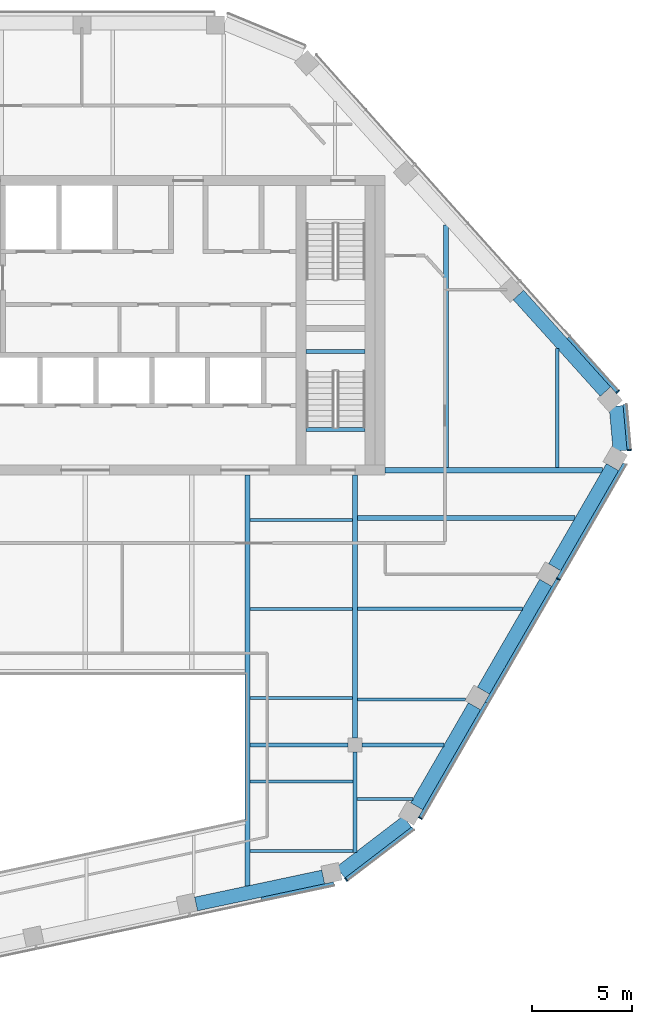
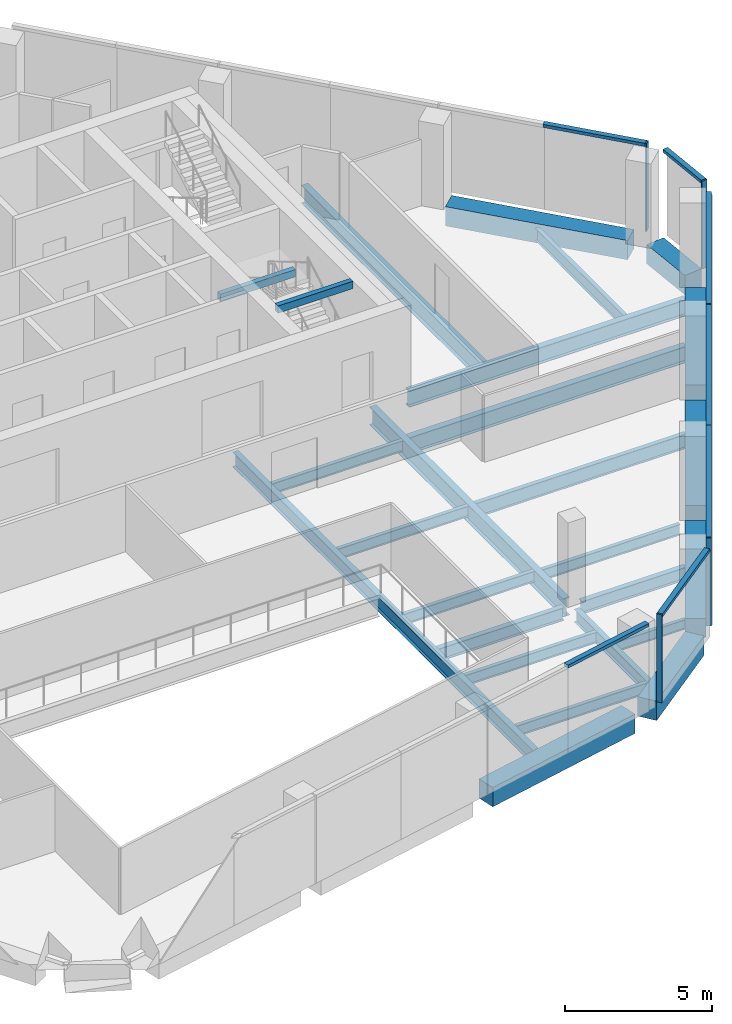
# One storey, part 4 of 15: 26 beams, 12 members, 5 elements without a shape of their own.
"""IFC4 building model written with IfcOpenShell, lengths in metres."""

from ifc_helpers import new_model, si_unit, direction, frame, origin, origin_2d, place, context, subcontext, project, spatial, rectangle, i_section, extrude, material, layer, layer_set, material_profile, profile_set, type_object, element, aggregate, save


model = new_model("IFC4")

# Units and contexts
model_context = context("Model", 3, precision=1e-05, world=origin(), true_north=direction((0.0, 1.0)))
body_context = subcontext(model_context, "Body", "Model", "MODEL_VIEW")
ifc_project = project(units=[si_unit("LENGTHUNIT", "METRE"), si_unit("AREAUNIT", "SQUARE_METRE"), si_unit("VOLUMEUNIT", "CUBIC_METRE"), si_unit("PLANEANGLEUNIT", "RADIAN"), si_unit("MASSUNIT", "GRAM", prefix="KILO")], contexts=[model_context])

# Site, building, storey
site_placement = place(None, origin())
site = spatial("IfcSite", under=ifc_project, at=site_placement, CompositionType="ELEMENT")
building_placement = place(site_placement, origin())
building = spatial("IfcBuilding", under=site, at=building_placement, Name="Isthmus Gate Tower", CompositionType="ELEMENT")
storey_placement = place(building_placement, frame((0.0, 0.0, 286.5)))
storey = spatial("IfcBuildingStorey", under=building, at=storey_placement, Name="L73", CompositionType="ELEMENT", Elevation=286.5)

# Curtain wall, member
ifc_material_1 = material(Name="Aluminium, pale champagne anodised", Category="aluminium")
ifc_layer = layer(ifc_material_1, 0.199951171875)
ifc_layer_set = layer_set([ifc_layer], Name="CW-1 UNITISED CURTAIN WALL 200 DEEP")
curtain_wall_type = type_object("IfcCurtainWallType", Name="CW-1 UNITISED CURTAIN WALL 200 DEEP", PredefinedType="NOTDEFINED", material=ifc_layer_set)
curtain_wall_1_placement = place(storey_placement, origin())
curtain_wall_1 = element("IfcCurtainWall", 1, at=curtain_wall_1_placement, inside=storey, type_object=curtain_wall_type, Name="CW-1 S-SE L73", PredefinedType="NOTDEFINED")
ifc_material_2 = material(Name="Aluminium, pale champagne anodised", Category="aluminium")
ifc_material_profile_1 = material_profile(ifc_material_2, rectangle(XDim=0.06005859375, YDim=0.199951171875, at=origin_2d()), Name="60x200")
ifc_profile_set_1 = profile_set([ifc_material_profile_1], Name="Aluminium, pale champagne anodised")
member_type_1 = type_object("IfcMemberType", Name="CW-1 MULLION 60 X 200", PredefinedType="MULLION", material=ifc_profile_set_1)
member_1_placement = place(storey_placement, frame((13.055908203125, -20.241455078125, 0.0), z_axis=(0.0, 0.0, 1.0), x_axis=(0.794188594387, 0.607671355706, 0.0)))
member_1 = element("IfcMember", 2, at=member_1_placement, type_object=member_type_1, Name="CW-1 mullion", PredefinedType="MULLION", context=body_context, shape_type="SweptSolid", body=[
    extrude(rectangle(XDim=0.06005859375, YDim=0.199951171875, at=origin_2d()), origin(), (0.0, 0.0, 1.0), 3.64990234375),
])

# Curtain wall, members
curtain_wall_2_placement = place(storey_placement, origin())
curtain_wall_2 = element("IfcCurtainWall", 3, at=curtain_wall_2_placement, inside=storey, type_object=curtain_wall_type, Name="CW-1 SE L73", PredefinedType="NOTDEFINED")
member_2_placement = place(storey_placement, frame((16.765380859375, -17.161376953125, 0.0), z_axis=(0.0, 0.0, 1.0), x_axis=(0.5, 0.866025403784, 0.0)))
member_2 = element("IfcMember", 4, at=member_2_placement, type_object=member_type_1, Name="CW-1 mullion", PredefinedType="MULLION", context=body_context, shape_type="SweptSolid", body=[
    extrude(rectangle(XDim=0.06005859375, YDim=0.199951171875, at=origin_2d()), origin(), (0.0, 0.0, 1.0), 3.64990234375),
])
member_3_placement = place(storey_placement, frame((23.675048828125, -5.193603515625, 0.0), z_axis=(0.0, 0.0, 1.0), x_axis=(0.5, 0.866025403784, 0.0)))
member_3 = element("IfcMember", 5, at=member_3_placement, type_object=member_type_1, Name="CW-1 mullion", PredefinedType="MULLION", context=body_context, shape_type="SweptSolid", body=[
    extrude(rectangle(XDim=0.06005859375, YDim=0.199951171875, at=origin_2d()), origin(), (0.0, 0.0, 1.0), 3.64990234375),
])

# Curtain wall, member
curtain_wall_3_placement = place(storey_placement, origin())
curtain_wall_3 = element("IfcCurtainWall", 6, at=curtain_wall_3_placement, inside=storey, type_object=curtain_wall_type, Name="CW-1 SE-NE L73", PredefinedType="NOTDEFINED")
member_4_placement = place(storey_placement, frame((27.21875, 1.258056640625, 0.0), z_axis=(0.0, 0.0, 1.0), x_axis=(-0.089396669717, 0.995996102123, 0.0)))
member_4 = element("IfcMember", 7, at=member_4_placement, type_object=member_type_1, Name="CW-1 mullion", PredefinedType="MULLION", context=body_context, shape_type="SweptSolid", body=[
    extrude(rectangle(XDim=0.06005859375, YDim=0.199951171875, at=origin_2d()), origin(), (0.0, 0.0, 1.0), 3.64990234375),
])

curtain_wall_4_placement = place(storey_placement, origin())
curtain_wall_4 = element("IfcCurtainWall", 8, at=curtain_wall_4_placement, inside=storey, type_object=curtain_wall_type, Name="CW-1 NE L73", PredefinedType="NOTDEFINED")
member_5_placement = place(storey_placement, frame((26.6474609375, 4.17626953125, 0.0), z_axis=(0.0, 0.0, 1.0), x_axis=(-0.669130606359, 0.743144825477, 0.0)))
member_5 = element("IfcMember", 9, at=member_5_placement, type_object=member_type_1, Name="CW-1 mullion", PredefinedType="MULLION", context=body_context, shape_type="SweptSolid", body=[
    extrude(rectangle(XDim=0.06005859375, YDim=0.199951171875, at=origin_2d()), origin(), (0.0, 0.0, 1.0), 3.64990234375),
])

curtain_wall_5_placement = place(storey_placement, origin())
curtain_wall_5 = element("IfcCurtainWall", 10, at=curtain_wall_5_placement, inside=storey, type_object=curtain_wall_type, Name="CW-1 S L73", PredefinedType="NOTDEFINED")
ifc_material_3 = material(Name="Aluminium, pale champagne anodised", Category="aluminium")
ifc_material_profile_2 = material_profile(ifc_material_3, rectangle(XDim=0.199951171875, YDim=0.1298828125, at=origin_2d()), Name="200x130")
ifc_profile_set_2 = profile_set([ifc_material_profile_2], Name="Aluminium, pale champagne anodised")
member_type_2 = type_object("IfcMemberType", Name="CW-1 TRANSOM 200 X 130", PredefinedType="USERDEFINED", material=ifc_profile_set_2)
member_6_placement = place(storey_placement, frame((8.816162109375, -21.228271484375, 3.5849609375), z_axis=(0.978146451283, 0.207917098487, 0.0), x_axis=(-0.207917098487, 0.978146451283, 0.0)))
member_6 = element("IfcMember", 11, at=member_6_placement, type_object=member_type_2, Name="CW-1 transom", ObjectType="TRANSOM", PredefinedType="USERDEFINED", context=body_context, shape_type="SweptSolid", body=[
    extrude(rectangle(XDim=0.199951171875, YDim=0.1298828125, at=origin_2d()), origin(), (0.0, 0.0, 1.0), 3.70361328125),
])
aggregate(curtain_wall_5, [member_6])

# Member
member_7_placement = place(storey_placement, frame((13.07958984375, -20.22314453125, 3.5849609375), z_axis=(0.794225234414, 0.607623466482, 0.0), x_axis=(-0.607623466482, 0.794225234414, 0.0)))
member_7 = element("IfcMember", 12, at=member_7_placement, type_object=member_type_2, Name="CW-1 transom", ObjectType="TRANSOM", PredefinedType="USERDEFINED", context=body_context, shape_type="SweptSolid", body=[
    extrude(rectangle(XDim=0.199951171875, YDim=0.1298828125, at=origin_2d()), origin(), (0.0, 0.0, 1.0), 4.181396484375),
])

aggregate(curtain_wall_1, [member_1, member_7])

member_8_placement = place(storey_placement, frame((16.780517578125, -17.135498046875, 3.5849609375), z_axis=(0.49999574405, 0.866027860944, 0.0), x_axis=(-0.866027860944, 0.49999574405, 0.0)))
member_8 = element("IfcMember", 13, at=member_8_placement, type_object=member_type_2, Name="CW-1 transom", ObjectType="TRANSOM", PredefinedType="USERDEFINED", context=body_context, shape_type="SweptSolid", body=[
    extrude(rectangle(XDim=0.199951171875, YDim=0.1298828125, at=origin_2d()), origin(), (0.0, 0.0, 1.0), 6.62451171875),
])

member_9_placement = place(storey_placement, frame((20.0927734375, -11.3984375, 3.5849609375), z_axis=(0.499985098601, 0.86603400694, 0.0), x_axis=(-0.86603400694, 0.499985098601, 0.0)))
member_9 = element("IfcMember", 14, at=member_9_placement, type_object=member_type_2, Name="CW-1 transom", ObjectType="TRANSOM", PredefinedType="USERDEFINED", context=body_context, shape_type="SweptSolid", body=[
    extrude(rectangle(XDim=0.199951171875, YDim=0.1298828125, at=origin_2d()), origin(), (0.0, 0.0, 1.0), 7.134521484375),
])

member_10_placement = place(storey_placement, frame((23.68994140625, -5.167724609375, 3.5849609375), z_axis=(0.49999574405, 0.866027860944, 0.0), x_axis=(-0.866027860944, 0.49999574405, 0.0)))
member_10 = element("IfcMember", 15, at=member_10_placement, type_object=member_type_2, Name="CW-1 transom", ObjectType="TRANSOM", PredefinedType="USERDEFINED", context=body_context, shape_type="SweptSolid", body=[
    extrude(rectangle(XDim=0.199951171875, YDim=0.1298828125, at=origin_2d()), origin(), (0.0, 0.0, 1.0), 6.62451171875),
])

aggregate(curtain_wall_2, [member_2, member_8, member_9, member_3, member_10])

member_11_placement = place(storey_placement, frame((27.216064453125, 1.287841796875, 3.5849609375), z_axis=(-0.089395362867, 0.995996219419, 0.0), x_axis=(-0.995996219419, -0.089395362867, 0.0)))
member_11 = element("IfcMember", 16, at=member_11_placement, type_object=member_type_2, Name="CW-1 transom", ObjectType="TRANSOM", PredefinedType="USERDEFINED", context=body_context, shape_type="SweptSolid", body=[
    extrude(rectangle(XDim=0.199951171875, YDim=0.1298828125, at=origin_2d()), origin(), (0.0, 0.0, 1.0), 2.258544921875),
])

aggregate(curtain_wall_3, [member_4, member_11])

member_12_placement = place(storey_placement, frame((26.62744140625, 4.198486328125, 3.5849609375), z_axis=(-0.669149818044, 0.743127526749, 0.0), x_axis=(-0.743127526749, -0.669149818044, 0.0)))
member_12 = element("IfcMember", 17, at=member_12_placement, type_object=member_type_2, Name="CW-1 transom", ObjectType="TRANSOM", PredefinedType="USERDEFINED", context=body_context, shape_type="SweptSolid", body=[
    extrude(rectangle(XDim=0.199951171875, YDim=0.1298828125, at=origin_2d()), origin(), (0.0, 0.0, 1.0), 3.643310546875),
])

aggregate(curtain_wall_4, [member_5, member_12])

# Beams
ifc_material_4 = material(Name="Concrete f'c 50 MPa", Category="concrete")
ifc_material_profile_3 = material_profile(ifc_material_4, rectangle(XDim=0.699951171875, YDim=0.800048828125, at=origin_2d()), Name="RC 700X800")
ifc_profile_set_3 = profile_set([ifc_material_profile_3], Name="Concrete f'c 50 MPa")
beam_type_1 = type_object("IfcBeamType", Name="RC SPANDREL 700 X 800", PredefinedType="SPANDREL", material=ifc_profile_set_3)
beam_1_placement = place(storey_placement, frame((21.67822265625, 9.022705078125, -0.39990234375), z_axis=(0.669122265754, -0.743152335307, 0.0), x_axis=(0.743152335307, 0.669122265754, 0.0)))
element("IfcBeam", 18, at=beam_1_placement, inside=storey, type_object=beam_type_1, Name="str-spandrel-L73-03", PredefinedType="SPANDREL", context=body_context, shape_type="SweptSolid", body=[
    extrude(rectangle(XDim=0.699951171875, YDim=0.800048828125, at=origin_2d()), origin(), (0.0, 0.0, 1.0), 6.506591796875),
])
beam_2_placement = place(storey_placement, frame((26.5693359375, 3.459716796875, -0.39990234375), z_axis=(0.089359478208, -0.995999439585, 0.0), x_axis=(0.995999439585, 0.089359478208, 0.0)))
element("IfcBeam", 19, at=beam_2_placement, inside=storey, type_object=beam_type_1, Name="str-spandrel-L73-04", PredefinedType="SPANDREL", context=body_context, shape_type="SweptSolid", body=[
    extrude(rectangle(XDim=0.699951171875, YDim=0.800048828125, at=origin_2d()), origin(), (0.0, 0.0, 1.0), 2.245849609375),
])
beam_3_placement = place(storey_placement, frame((26.387451171875, 0.404541015625, -0.39990234375), z_axis=(-0.499979418648, -0.866037286108, 0.0), x_axis=(0.866037286108, -0.499979418648, 0.0)))
element("IfcBeam", 20, at=beam_3_placement, inside=storey, type_object=beam_type_1, Name="str-spandrel-L73-05", PredefinedType="SPANDREL", context=body_context, shape_type="SweptSolid", body=[
    extrude(rectangle(XDim=0.699951171875, YDim=0.800048828125, at=origin_2d()), origin(), (0.0, 0.0, 1.0), 5.784423828125),
])
beam_4_placement = place(storey_placement, frame((23.045166015625, -5.384521484375, -0.39990234375), z_axis=(-0.499997027648, -0.866027119866, 0.0), x_axis=(0.866027119866, -0.499997027648, 0.0)))
element("IfcBeam", 21, at=beam_4_placement, inside=storey, type_object=beam_type_1, Name="str-spandrel-L73-06", PredefinedType="SPANDREL", context=body_context, shape_type="SweptSolid", body=[
    extrude(rectangle(XDim=0.699951171875, YDim=0.800048828125, at=origin_2d()), origin(), (0.0, 0.0, 1.0), 6.234375),
])
beam_5_placement = place(storey_placement, frame((19.47802734375, -11.56298828125, -0.39990234375), z_axis=(-0.499992798144, -0.866029561738, 0.0), x_axis=(0.866029561738, -0.499992798144, 0.0)))
element("IfcBeam", 22, at=beam_5_placement, inside=storey, type_object=beam_type_1, Name="str-spandrel-L73-07", PredefinedType="SPANDREL", context=body_context, shape_type="SweptSolid", body=[
    extrude(rectangle(XDim=0.699951171875, YDim=0.800048828125, at=origin_2d()), origin(), (0.0, 0.0, 1.0), 5.78466796875),
])
beam_6_placement = place(storey_placement, frame((16.110595703125, -17.337646484375, -0.39990234375), z_axis=(-0.794204252251, -0.607650891307, 0.0), x_axis=(0.607650891307, -0.794204252251, 0.0)))
element("IfcBeam", 23, at=beam_6_placement, inside=storey, type_object=beam_type_1, Name="str-spandrel-L73-08", PredefinedType="SPANDREL", context=body_context, shape_type="SweptSolid", body=[
    extrude(rectangle(XDim=0.699951171875, YDim=0.800048828125, at=origin_2d()), origin(), (0.0, 0.0, 1.0), 4.197021484375),
])
beam_7_placement = place(storey_placement, frame((11.90478515625, -20.11181640625, -0.39990234375), z_axis=(-0.978148646173, -0.207906772352, 0.0), x_axis=(0.207906772352, -0.978148646173, 0.0)))
element("IfcBeam", 24, at=beam_7_placement, inside=storey, type_object=beam_type_1, Name="str-spandrel-L73-09", PredefinedType="SPANDREL", context=body_context, shape_type="SweptSolid", body=[
    extrude(rectangle(XDim=0.699951171875, YDim=0.800048828125, at=origin_2d()), origin(), (0.0, 0.0, 1.0), 6.506591796875),
])
ifc_material_5 = material(Name="Concrete f'c 40 MPa", Category="concrete")
ifc_material_profile_4 = material_profile(ifc_material_5, rectangle(XDim=0.199951171875, YDim=0.300048828125, at=origin_2d()), Name="STAIR LANDING BEAM RC 200 X 300")
ifc_profile_set_4 = profile_set([ifc_material_profile_4], Name="Concrete f'c 40 MPa")
beam_type_2 = type_object("IfcBeamType", Name="STAIR LANDING BEAM RC 200 X 300", PredefinedType="BEAM", material=ifc_profile_set_4)
for number, where, z_axis, x_axis, name in (
    (25, (11.050048828125, 6.199951171875, 1.47509765625), (1.0, 0.0, 0.0), (0.0, 1.0, 0.0), "L73 ST8 landing beam 1"),
    (26, (11.050048828125, 2.2998046875, 3.35009765625), (1.0, 0.0, 0.0), (0.0, 1.0, 0.0), "L73 ST8 floor-edge seat beam"),
):
    element("IfcBeam", number, at=place(storey_placement, frame(where, z_axis=z_axis, x_axis=x_axis)), inside=storey, type_object=beam_type_2, Name=name, PredefinedType="BEAM", context=body_context, shape_type="SweptSolid", body=[
        extrude(rectangle(XDim=0.199951171875, YDim=0.300048828125, at=origin_2d()), origin(), (0.0, 0.0, 1.0), 2.949951171875),
    ])
ifc_material_6 = material(Name="Structural steel ASTM A992 Gr 50", Category="steel")
ifc_material_profile_5 = material_profile(ifc_material_6, i_section(OverallWidth=0.1396484375, OverallDepth=0.4033203125, WebThickness=0.00634765625, FlangeThickness=0.010986328125, at=origin_2d()), Name="W16X31")
ifc_profile_set_5 = profile_set([ifc_material_profile_5], Name="Structural steel ASTM A992 Gr 50")
beam_type_3 = type_object("IfcBeamType", Name="STEEL FLOOR BEAM W16X31", PredefinedType="JOIST", material=ifc_profile_set_5)
beam_8_placement = place(storey_placement, frame((13.604736328125, -16.20947265625, -0.3515625), z_axis=(1.0, 0.0, 0.0), x_axis=(0.0, 1.0, 0.0)))
element("IfcBeam", 27, at=beam_8_placement, inside=storey, type_object=beam_type_3, Name="str-beam-L73-11-00", PredefinedType="JOIST", context=body_context, shape_type="SweptSolid", body=[
    extrude(i_section(OverallWidth=0.1396484375, OverallDepth=0.4033203125, WebThickness=0.00634765625, FlangeThickness=0.010986328125, at=origin_2d()), origin(), (0.0, 0.0, 1.0), 2.78662109375),
])
ifc_material_7 = material(Name="Structural steel ASTM A992 Gr 50", Category="steel")
ifc_material_profile_6 = material_profile(ifc_material_7, i_section(OverallWidth=0.15234375, OverallDepth=0.45068359375, WebThickness=0.0078125, FlangeThickness=0.010986328125, at=origin_2d()), Name="W18X35")
ifc_profile_set_6 = profile_set([ifc_material_profile_6], Name="Structural steel ASTM A992 Gr 50")
beam_type_4 = type_object("IfcBeamType", Name="STEEL FLOOR BEAM W18X35", PredefinedType="JOIST", material=ifc_profile_set_6)
for number, where, z_axis, x_axis, name in (
    (28, (8.228515625, -18.802734375, -0.37548828125), (1.0, 0.0, 0.0), (0.0, 1.0, 0.0), "str-beam-L73-09-00"),
    (29, (8.228515625, -15.33740234375, -0.37548828125), (1.0, 0.0, 0.0), (0.0, 1.0, 0.0), "str-beam-L73-09-01"),
):
    element("IfcBeam", number, at=place(storey_placement, frame(where, z_axis=z_axis, x_axis=x_axis)), inside=storey, type_object=beam_type_4, Name=name, PredefinedType="JOIST", context=body_context, shape_type="SweptSolid", body=[
        extrude(i_section(OverallWidth=0.15234375, OverallDepth=0.45068359375, WebThickness=0.0078125, FlangeThickness=0.010986328125, at=origin_2d()), origin(), (0.0, 0.0, 1.0), 5.166748046875),
    ])
for number, where, z_axis, x_axis, name in (
    (30, (8.228515625, -11.16259765625, -0.37548828125), (1.0, 0.0, 0.0), (0.0, 1.0, 0.0), "str-beam-L73-10-00"),
    (31, (8.228515625, -6.697509765625, -0.37548828125), (1.0, 0.0, 0.0), (0.0, 1.0, 0.0), "str-beam-L73-10-01"),
    (32, (8.228515625, -2.232421875, -0.37548828125), (1.0, 0.0, 0.0), (0.0, 1.0, 0.0), "str-beam-L73-10-02"),
):
    element("IfcBeam", number, at=place(storey_placement, frame(where, z_axis=z_axis, x_axis=x_axis)), inside=storey, type_object=beam_type_4, Name=name, PredefinedType="JOIST", context=body_context, shape_type="SweptSolid", body=[
        extrude(i_section(OverallWidth=0.15234375, OverallDepth=0.45068359375, WebThickness=0.0078125, FlangeThickness=0.010986328125, at=origin_2d()), origin(), (0.0, 0.0, 1.0), 5.1396484375),
    ])
beam_9_placement = place(storey_placement, frame((13.6318359375, -11.2294921875, -0.37548828125), z_axis=(1.0, 0.0, 0.0), x_axis=(0.0, 1.0, 0.0)))
element("IfcBeam", 33, at=beam_9_placement, inside=storey, type_object=beam_type_4, Name="str-beam-L73-12-00", PredefinedType="JOIST", context=body_context, shape_type="SweptSolid", body=[
    extrude(i_section(OverallWidth=0.15234375, OverallDepth=0.45068359375, WebThickness=0.0078125, FlangeThickness=0.010986328125, at=origin_2d()), origin(), (0.0, 0.0, 1.0), 5.40380859375),
])
ifc_material_8 = material(Name="Structural steel ASTM A992 Gr 50", Category="steel")
ifc_material_profile_7 = material_profile(ifc_material_8, i_section(OverallWidth=0.1650390625, OverallDepth=0.52392578125, WebThickness=0.009521484375, FlangeThickness=0.010986328125, at=origin_2d()), Name="W21X44")
ifc_profile_set_7 = profile_set([ifc_material_profile_7], Name="Structural steel ASTM A992 Gr 50")
beam_type_5 = type_object("IfcBeamType", Name="STEEL FLOOR BEAM W21X44", PredefinedType="JOIST", material=ifc_profile_set_7)
beam_10_placement = place(storey_placement, frame((23.61865234375, 0.376953125, -0.411865234375), z_axis=(0.0, 1.0, 0.0), x_axis=(-1.0, 0.0, 0.0)))
element("IfcBeam", 34, at=beam_10_placement, inside=storey, type_object=beam_type_5, Name="str-beam-L73-07-07", PredefinedType="JOIST", context=body_context, shape_type="SweptSolid", body=[
    extrude(i_section(OverallWidth=0.1650390625, OverallDepth=0.52392578125, WebThickness=0.009521484375, FlangeThickness=0.010986328125, at=origin_2d()), origin(), (0.0, 0.0, 1.0), 5.967529296875),
])
ifc_material_9 = material(Name="Structural steel ASTM A992 Gr 50", Category="steel")
ifc_material_profile_8 = material_profile(ifc_material_9, i_section(OverallWidth=0.177734375, OverallDepth=0.60009765625, WebThickness=0.009521484375, FlangeThickness=0.0126953125, at=origin_2d()), Name="W24X55")
ifc_profile_set_8 = profile_set([ifc_material_profile_8], Name="Structural steel ASTM A992 Gr 50")
beam_type_6 = type_object("IfcBeamType", Name="STEEL FLOOR BEAM W24X55", PredefinedType="JOIST", material=ifc_profile_set_8)
beam_11_placement = place(storey_placement, frame((13.6318359375, -6.6884765625, -0.449951171875), z_axis=(1.0, 0.0, 0.0), x_axis=(0.0, 1.0, 0.0)))
element("IfcBeam", 35, at=beam_11_placement, inside=storey, type_object=beam_type_6, Name="str-beam-L73-12-01", PredefinedType="JOIST", context=body_context, shape_type="SweptSolid", body=[
    extrude(i_section(OverallWidth=0.177734375, OverallDepth=0.60009765625, WebThickness=0.009521484375, FlangeThickness=0.0126953125, at=origin_2d()), origin(), (0.0, 0.0, 1.0), 8.25634765625),
])
ifc_material_10 = material(Name="Structural steel ASTM A992 Gr 50", Category="steel")
ifc_material_profile_9 = material_profile(ifc_material_10, i_section(OverallWidth=0.25390625, OverallDepth=0.679443359375, WebThickness=0.010986328125, FlangeThickness=0.015869140625, at=origin_2d()), Name="W27X84")
ifc_profile_set_9 = profile_set([ifc_material_profile_9], Name="Structural steel ASTM A992 Gr 50")
beam_type_7 = type_object("IfcBeamType", Name="STEEL FLOOR BEAM W27X84", PredefinedType="JOIST", material=ifc_profile_set_9)
beam_12_placement = place(storey_placement, frame((13.6318359375, -2.1474609375, -0.48974609375), z_axis=(1.0, 0.0, 0.0), x_axis=(0.0, 1.0, 0.0)))
element("IfcBeam", 36, at=beam_12_placement, inside=storey, type_object=beam_type_7, Name="str-beam-L73-12-02", PredefinedType="JOIST", context=body_context, shape_type="SweptSolid", body=[
    extrude(i_section(OverallWidth=0.25390625, OverallDepth=0.679443359375, WebThickness=0.010986328125, FlangeThickness=0.015869140625, at=origin_2d()), origin(), (0.0, 0.0, 1.0), 10.878173828125),
])
ifc_material_11 = material(Name="Structural steel ASTM A992 Gr 50", Category="steel")
ifc_material_profile_10 = material_profile(ifc_material_11, i_section(OverallWidth=0.263427734375, OverallDepth=0.749267578125, WebThickness=0.0126953125, FlangeThickness=0.015869140625, at=origin_2d()), Name="W30X90")
ifc_profile_set_10 = profile_set([ifc_material_profile_10], Name="Structural steel ASTM A992 Gr 50")
beam_type_8 = type_object("IfcBeamType", Name="STEEL FLOOR BEAM W30X90", PredefinedType="JOIST", material=ifc_profile_set_10)
beam_13_placement = place(storey_placement, frame((18.05712890625, 0.376953125, -0.524658203125), z_axis=(0.0, 1.0, 0.0), x_axis=(-1.0, 0.0, 0.0)))
element("IfcBeam", 37, at=beam_13_placement, inside=storey, type_object=beam_type_8, Name="str-beam-L73-07-06", PredefinedType="JOIST", context=body_context, shape_type="SweptSolid", body=[
    extrude(i_section(OverallWidth=0.263427734375, OverallDepth=0.749267578125, WebThickness=0.0126953125, FlangeThickness=0.015869140625, at=origin_2d()), origin(), (0.0, 0.0, 1.0), 12.144287109375),
])
ifc_material_12 = material(Name="Structural steel ASTM A992 Gr 50", Category="steel")
ifc_material_profile_11 = material_profile(ifc_material_12, i_section(OverallWidth=0.20947265625, OverallDepth=0.533447265625, WebThickness=0.009521484375, FlangeThickness=0.015869140625, at=origin_2d()), Name="W21X62")
ifc_profile_set_11 = profile_set([ifc_material_profile_11], Name="Structural steel ASTM A992 Gr 50")
beam_type_9 = type_object("IfcBeamType", Name="STEEL GIRDER W21X62", PredefinedType="BEAM", material=ifc_profile_set_11)
beam_14_placement = place(storey_placement, frame((8.228515625, -13.5, -0.416748046875), z_axis=(1.0, 0.0, 0.0), x_axis=(0.0, 1.0, 0.0)))
element("IfcBeam", 38, at=beam_14_placement, inside=storey, type_object=beam_type_9, Name="str-girder-L73-03", PredefinedType="BEAM", context=body_context, shape_type="SweptSolid", body=[
    extrude(i_section(OverallWidth=0.20947265625, OverallDepth=0.533447265625, WebThickness=0.009521484375, FlangeThickness=0.015869140625, at=origin_2d()), origin(), (0.0, 0.0, 1.0), 4.92138671875),
])
beam_15_placement = place(storey_placement, frame((13.85009765625, -13.5, -0.416748046875), z_axis=(1.0, 0.0, 0.0), x_axis=(0.0, 1.0, 0.0)))
element("IfcBeam", 39, at=beam_15_placement, inside=storey, type_object=beam_type_9, Name="str-girder-L73-04", PredefinedType="BEAM", context=body_context, shape_type="SweptSolid", body=[
    extrude(i_section(OverallWidth=0.20947265625, OverallDepth=0.533447265625, WebThickness=0.009521484375, FlangeThickness=0.015869140625, at=origin_2d()), origin(), (0.0, 0.0, 1.0), 4.10546875),
])
beam_16_placement = place(storey_placement, frame((13.5, -18.894287109375, -0.416748046875), z_axis=(0.0, 1.0, 0.0), x_axis=(-1.0, 0.0, 0.0)))
element("IfcBeam", 40, at=beam_16_placement, inside=storey, type_object=beam_type_9, Name="str-girder-L73-07", PredefinedType="BEAM", context=body_context, shape_type="SweptSolid", body=[
    extrude(i_section(OverallWidth=0.20947265625, OverallDepth=0.533447265625, WebThickness=0.009521484375, FlangeThickness=0.015869140625, at=origin_2d()), origin(), (0.0, 0.0, 1.0), 5.044189453125),
])
ifc_material_13 = material(Name="Structural steel ASTM A992 Gr 50", Category="steel")
ifc_material_profile_12 = material_profile(ifc_material_13, i_section(OverallWidth=0.25390625, OverallDepth=0.679443359375, WebThickness=0.010986328125, FlangeThickness=0.015869140625, at=origin_2d()), Name="W27X84")
ifc_profile_set_12 = profile_set([ifc_material_profile_12], Name="Structural steel ASTM A992 Gr 50")
beam_type_10 = type_object("IfcBeamType", Name="STEEL GIRDER W27X84", PredefinedType="BEAM", material=ifc_profile_set_12)
beam_17_placement = place(storey_placement, frame((15.0, 0.25, -0.48974609375), z_axis=(1.0, 0.0, 0.0), x_axis=(0.0, 1.0, 0.0)))
element("IfcBeam", 41, at=beam_17_placement, inside=storey, type_object=beam_type_10, Name="str-girder-L73-10", PredefinedType="BEAM", context=body_context, shape_type="SweptSolid", body=[
    extrude(i_section(OverallWidth=0.25390625, OverallDepth=0.679443359375, WebThickness=0.010986328125, FlangeThickness=0.015869140625, at=origin_2d()), origin(), (0.0, 0.0, 1.0), 10.89404296875),
])
ifc_material_14 = material(Name="Structural steel ASTM A992 Gr 50", Category="steel")
ifc_material_profile_13 = material_profile(ifc_material_14, i_section(OverallWidth=0.263427734375, OverallDepth=0.749267578125, WebThickness=0.0126953125, FlangeThickness=0.015869140625, at=origin_2d()), Name="W30X90")
ifc_profile_set_13 = profile_set([ifc_material_profile_13], Name="Structural steel ASTM A992 Gr 50")
beam_type_11 = type_object("IfcBeamType", Name="STEEL GIRDER W30X90", PredefinedType="BEAM", material=ifc_profile_set_13)
beam_18_placement = place(storey_placement, frame((13.5, -13.14990234375, -0.524658203125), z_axis=(0.0, 1.0, 0.0), x_axis=(-1.0, 0.0, 0.0)))
element("IfcBeam", 42, at=beam_18_placement, inside=storey, type_object=beam_type_11, Name="str-girder-L73-08", PredefinedType="BEAM", context=body_context, shape_type="SweptSolid", body=[
    extrude(i_section(OverallWidth=0.263427734375, OverallDepth=0.749267578125, WebThickness=0.0126953125, FlangeThickness=0.015869140625, at=origin_2d()), origin(), (0.0, 0.0, 1.0), 13.14990234375),
])
ifc_material_15 = material(Name="Structural steel ASTM A992 Gr 50", Category="steel")
ifc_material_profile_14 = material_profile(ifc_material_15, i_section(OverallWidth=0.228515625, OverallDepth=0.603271484375, WebThickness=0.010986328125, FlangeThickness=0.014404296875, at=origin_2d()), Name="W24X68")
ifc_profile_set_14 = profile_set([ifc_material_profile_14], Name="Structural steel ASTM A992 Gr 50")
beam_type_12 = type_object("IfcBeamType", Name="STEEL TRIMMER W24X68", PredefinedType="BEAM", material=ifc_profile_set_14)
beam_19_placement = place(storey_placement, frame((8.1142578125, -20.5595703125, -0.45166015625), z_axis=(0.0, 1.0, 0.0), x_axis=(-1.0, 0.0, 0.0)))
element("IfcBeam", 43, at=beam_19_placement, inside=storey, type_object=beam_type_12, Name="str-trimmer-L73-01", PredefinedType="BEAM", context=body_context, shape_type="SweptSolid", body=[
    extrude(i_section(OverallWidth=0.228515625, OverallDepth=0.603271484375, WebThickness=0.010986328125, FlangeThickness=0.014404296875, at=origin_2d()), origin(), (0.0, 0.0, 1.0), 20.5595703125),
])

save(model, "model.ifc")
